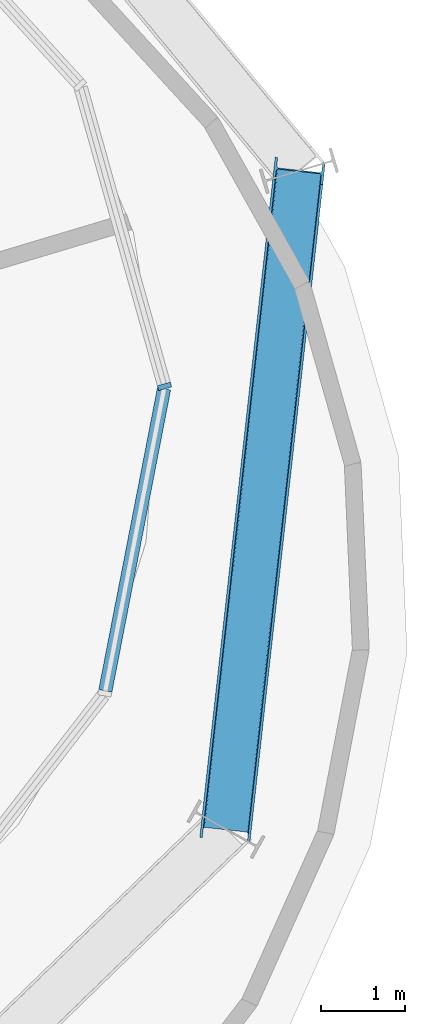
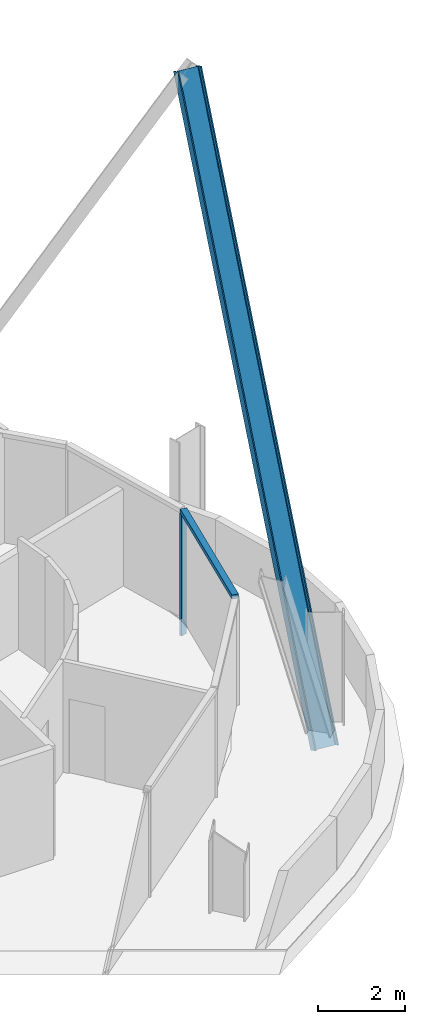
# One storey, part 5 of 19: 3 members, 1 element without a shape of its own.
"""IFC4 building model written with IfcOpenShell, lengths in metres."""

from ifc_helpers import new_model, si_unit, direction, frame, origin, origin_2d, place, context, subcontext, project, spatial, rectangle, i_section, extrude, material, layer, layer_set, material_profile, profile_set, type_object, element, aggregate, save


model = new_model("IFC4")

# Units and contexts
model_context = context("Model", 3, precision=1e-05, world=origin(), true_north=direction((0.0, 1.0)))
body_context = subcontext(model_context, "Body", "Model", "MODEL_VIEW")
ifc_project = project(units=[si_unit("LENGTHUNIT", "METRE"), si_unit("AREAUNIT", "SQUARE_METRE"), si_unit("VOLUMEUNIT", "CUBIC_METRE"), si_unit("PLANEANGLEUNIT", "RADIAN"), si_unit("MASSUNIT", "GRAM", prefix="KILO")], contexts=[model_context])

# Site, building, storey
site_placement = place(None, origin())
site = spatial("IfcSite", under=ifc_project, at=site_placement, CompositionType="ELEMENT")
building_placement = place(site_placement, origin())
building = spatial("IfcBuilding", under=site, at=building_placement, Name="Spindle Arch Residences", CompositionType="ELEMENT")
storey_placement = place(building_placement, frame((0.0, 0.0, 263.39990234375)))
storey = spatial("IfcBuildingStorey", under=building, at=storey_placement, Name="L67", CompositionType="ELEMENT", Elevation=263.39990234375)

# Curtain wall, members
ifc_material_1 = material(Name="Aluminium bronze unitised frame with tinted glass", Category="aluminium")
ifc_layer = layer(ifc_material_1, 0.159912109375)
ifc_layer_set = layer_set([ifc_layer], Name="CW-D corner wall on the fillet arcs")
curtain_wall_type = type_object("IfcCurtainWallType", Name="CW-D corner wall on the fillet arcs", PredefinedType="NOTDEFINED", material=ifc_layer_set)
curtain_wall_placement = place(storey_placement, origin())
curtain_wall = element("IfcCurtainWall", 1, at=curtain_wall_placement, inside=storey, type_object=curtain_wall_type, Name="CW-D L67 run 1", PredefinedType="NOTDEFINED")
ifc_material_2 = material(Name="Aluminium bronze anodised mullion", Category="aluminium")
ifc_material_profile_1 = material_profile(ifc_material_2, rectangle(XDim=0.159912109375, YDim=0.06005859375, at=origin_2d()), Name="MU 60x160")
ifc_profile_set_1 = profile_set([ifc_material_profile_1], Name="Aluminium bronze anodised mullion")
member_type_1 = type_object("IfcMemberType", Name="Bronze mullion 60x160", PredefinedType="MULLION", material=ifc_profile_set_1)
member_1_placement = place(storey_placement, frame((26.832763671875, 3.300048828125, -0.449951171875), z_axis=(0.0, 0.0, 1.0), x_axis=(-0.962849012696, -0.270040328007, 0.0)))
member_1 = element("IfcMember", 2, at=member_1_placement, type_object=member_type_1, Name="CW-D mullion 03", PredefinedType="MULLION", context=body_context, shape_type="SweptSolid", body=[
    extrude(rectangle(XDim=0.159912109375, YDim=0.06005859375, at=origin_2d()), origin(), (0.0, 0.0, 1.0), 3.449951171875),
])
ifc_material_3 = material(Name="Aluminium bronze anodised transom", Category="aluminium")
ifc_material_profile_2 = material_profile(ifc_material_3, rectangle(XDim=0.159912109375, YDim=0.1201171875, at=origin_2d()), Name="TR 120x160")
ifc_profile_set_2 = profile_set([ifc_material_profile_2], Name="Aluminium bronze anodised transom")
member_type_2 = type_object("IfcMemberType", Name="Bronze transom 120x160", PredefinedType="USERDEFINED", material=ifc_profile_set_2)
member_2_placement = place(storey_placement, frame((26.127197265625, -0.32861328125, 3.06005859375), z_axis=(0.190825105639, 0.981624051793, 0.0), x_axis=(-0.981624051793, 0.190825105639, 0.0)))
member_2 = element("IfcMember", 3, at=member_2_placement, type_object=member_type_2, Name="CW-D transom 02", ObjectType="TRANSOM", PredefinedType="USERDEFINED", context=body_context, shape_type="SweptSolid", body=[
    extrude(rectangle(XDim=0.159912109375, YDim=0.1201171875, at=origin_2d()), origin(), (0.0, 0.0, 1.0), 3.666748046875),
])
aggregate(curtain_wall, [member_2, member_1])

# Member
ifc_material_4 = material(Name="Steel S460ML, intumescent coating R 240", Category="steel")
ifc_material_profile_3 = material_profile(ifc_material_4, i_section(OverallWidth=0.300048828125, OverallDepth=0.60009765625, WebThickness=0.015380859375, FlangeThickness=0.030029296875, FilletRadius=0.027099609375, at=origin_2d()), Name="HEB 600")
ifc_profile_set_3 = profile_set([ifc_material_profile_3], Name="Steel S460ML, intumescent coating R 240")
member_type_3 = type_object("IfcMemberType", Name="Diagrid diagonal HEB 600", PredefinedType="BRACE", material=ifc_profile_set_3)
member_3_placement = place(storey_placement, frame((27.56494140625, -1.975830078125, -0.699951171875), z_axis=(0.053937021178, 0.486205016663, 0.872178582355), x_axis=(-0.096164975237, -0.86686087526, 0.489187612764)))
element("IfcMember", 4, at=member_3_placement, inside=storey, type_object=member_type_3, Name="Diagrid diagonal 7.1.3", PredefinedType="BRACE", context=body_context, shape_type="SweptSolid", body=[
    extrude(i_section(OverallWidth=0.300048828125, OverallDepth=0.60009765625, WebThickness=0.015380859375, FlangeThickness=0.030029296875, FilletRadius=0.027099609375, at=origin_2d()), origin(), (0.0, 0.0, 1.0), 16.132080078125),
])

save(model, "model.ifc")
